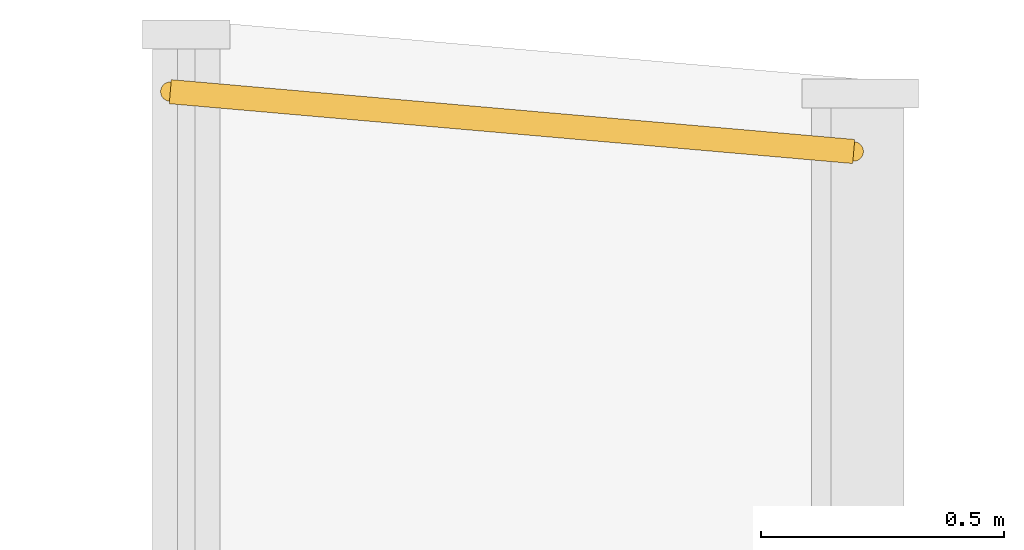
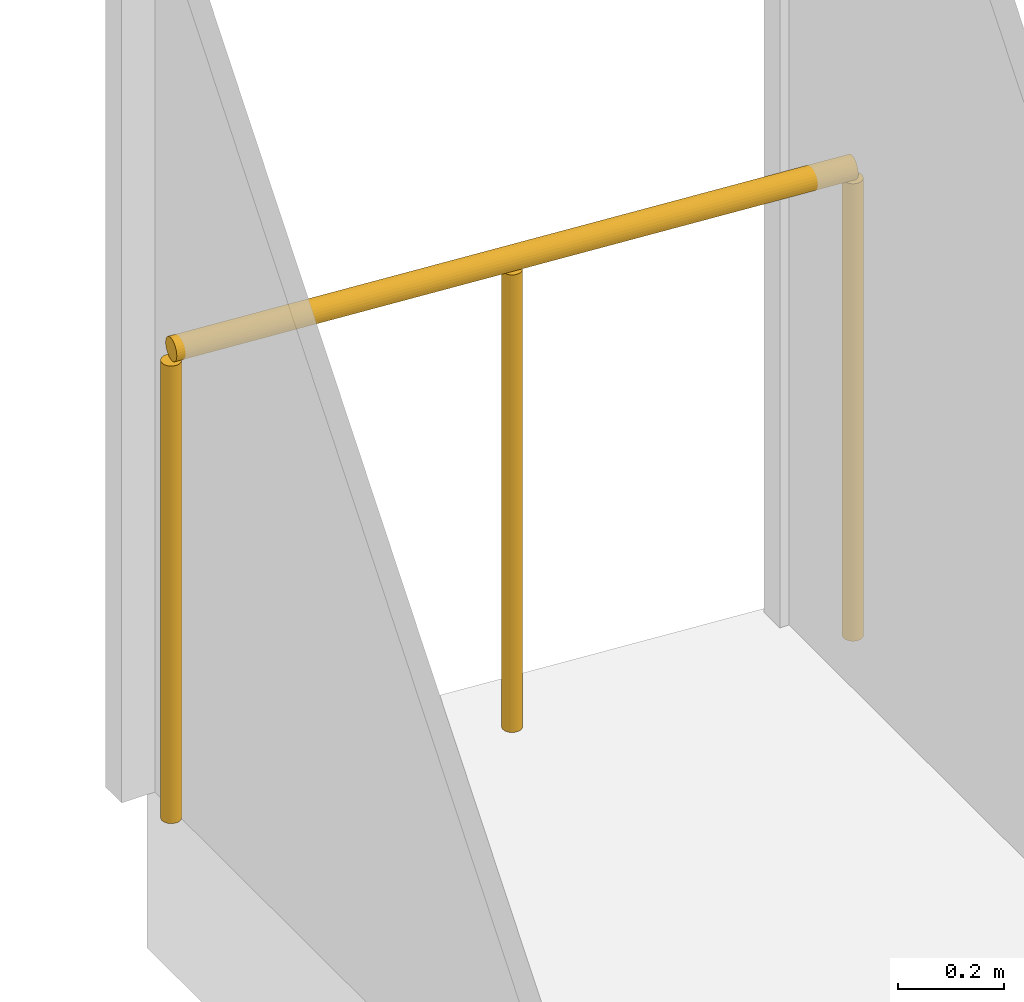
# One storey, part 6 of 6: 1 railing.
"""IFC4 building model written with IfcOpenShell, lengths in metres."""

from ifc_helpers import new_model, si_unit, direction, frame, origin, origin_2d, place, context, subcontext, project, spatial, circle, extrude, material, type_object, element, save


model = new_model("IFC4")

# Units and contexts
model_context = context("Model", 3, precision=1e-05, world=origin(), true_north=direction((0.0, 1.0)))
body_context = subcontext(model_context, "Body", "Model", "MODEL_VIEW")
ifc_project = project(units=[si_unit("LENGTHUNIT", "METRE"), si_unit("AREAUNIT", "SQUARE_METRE"), si_unit("VOLUMEUNIT", "CUBIC_METRE"), si_unit("PLANEANGLEUNIT", "RADIAN"), si_unit("MASSUNIT", "GRAM", prefix="KILO")], contexts=[model_context])

# Site, building, storey
site_placement = place(None, origin())
site = spatial("IfcSite", under=ifc_project, at=site_placement, CompositionType="ELEMENT")
building_placement = place(site_placement, origin())
building = spatial("IfcBuilding", under=site, at=building_placement, Name="Wharfspan Tower", CompositionType="ELEMENT")
storey_placement = place(building_placement, frame((0.0, 0.0, 273.899902)))
storey = spatial("IfcBuildingStorey", under=building, at=storey_placement, Name="L70", CompositionType="ELEMENT", Elevation=273.899902)

# Railing
ifc_material = material(Name="Steel S355J2", Category="steel")
railing_type = type_object("IfcRailingType", Name="GUARD 1100 STEEL AND GLASS", PredefinedType="GUARDRAIL", material=ifc_material)
railing_placement = place(storey_placement, frame((53.986816, 48.375488, 0.0)))
element("IfcRailing", 1, at=railing_placement, inside=storey, type_object=railing_type, Name="Gallery edge guard N2", PredefinedType="GUARDRAIL", context=body_context, shape_type="SweptSolid", body=[
    extrude(circle(Radius=0.024902, at=origin_2d()), frame((0.0, 0.0, 1.075195), z_axis=(-0.996191, 0.087203, 0.0), x_axis=(-0.087203, -0.996191, 0.0)), (0.0, 0.0, 1.0), 1.413818),
    extrude(circle(Radius=0.02002, at=origin_2d()), origin(), (0.0, 0.0, 1.0), 1.050049),
    extrude(circle(Radius=0.02002, at=origin_2d()), frame((-0.704102, 0.061523, 0.0)), (0.0, 0.0, 1.0), 1.050049),
    extrude(circle(Radius=0.02002, at=origin_2d()), frame((-1.408447, 0.123291, 0.0)), (0.0, 0.0, 1.0), 1.050049),
])

save(model, "model.ifc")
